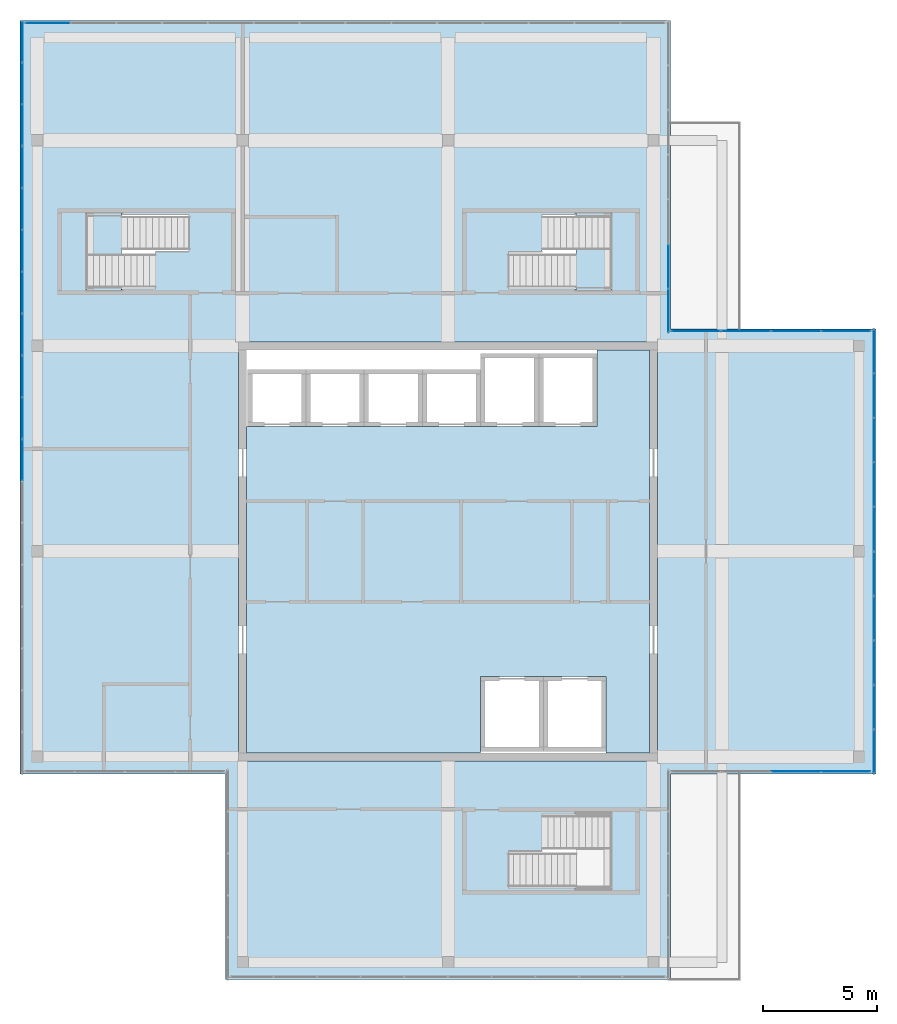
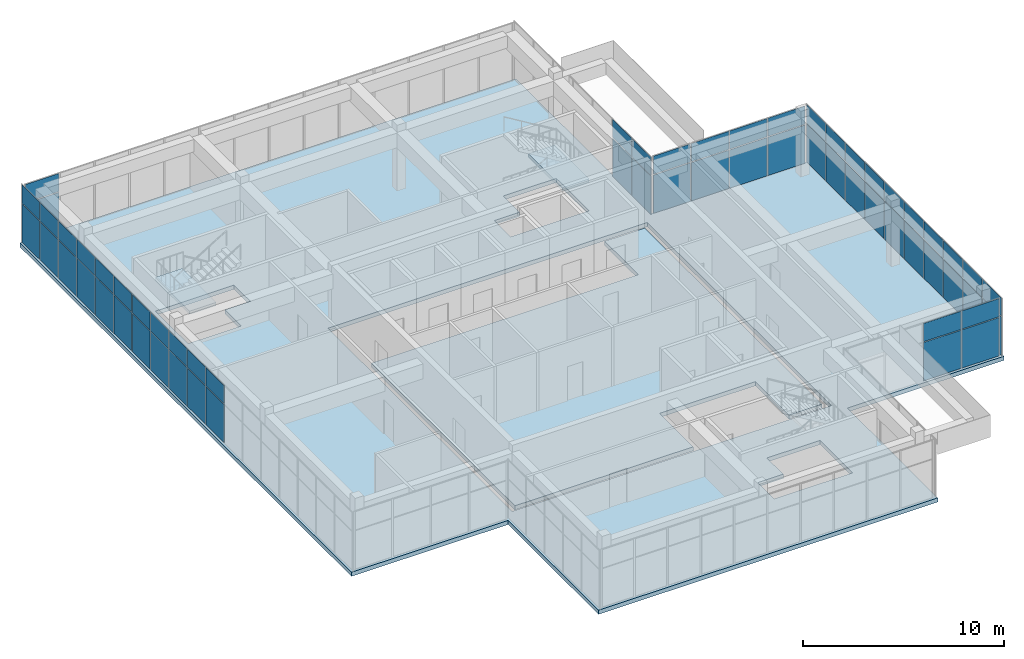
# One storey, part 31 of 36: 60 plates, 4 slabs, 8 elements without a shape of their own.
"""IFC4 building model written with IfcOpenShell, lengths in metres."""

from ifc_helpers import new_model, si_unit, direction, frame, origin, origin_2d, place, context, subcontext, project, spatial, polyline, rectangle, outline, extrude, material, layer, layer_set, type_object, element, aggregate, save


model = new_model("IFC4")

# Units and contexts
model_context = context("Model", 3, precision=1e-05, world=origin(), true_north=direction((0.0, 1.0)))
body_context = subcontext(model_context, "Body", "Model", "MODEL_VIEW")
ifc_project = project(units=[si_unit("LENGTHUNIT", "METRE"), si_unit("AREAUNIT", "SQUARE_METRE"), si_unit("VOLUMEUNIT", "CUBIC_METRE"), si_unit("PLANEANGLEUNIT", "RADIAN"), si_unit("MASSUNIT", "GRAM", prefix="KILO")], contexts=[model_context])

# Site, building, storey
site_placement = place(None, origin())
site = spatial("IfcSite", under=ifc_project, at=site_placement, CompositionType="ELEMENT")
building_placement = place(site_placement, origin())
building = spatial("IfcBuilding", under=site, at=building_placement, Name="Tuart Plaza Theatre", CompositionType="ELEMENT")
storey_placement = place(building_placement, frame((0.0, 0.0, 61.5)))
storey = spatial("IfcBuildingStorey", under=building, at=storey_placement, Name="L15", CompositionType="ELEMENT", Elevation=61.5)

# Curtain wall, plates
ifc_material_1 = material(Name="Aluminium and glass", Category="aluminium")
ifc_layer_1 = layer(ifc_material_1, 0.10009765625)
ifc_layer_set_1 = layer_set([ifc_layer_1], Name="CURTAIN WALL 2000 module")
curtain_wall_type_1 = type_object("IfcCurtainWallType", Name="CURTAIN WALL 2000 module", PredefinedType="NOTDEFINED", material=ifc_layer_set_1)
curtain_wall_1_placement = place(storey_placement, origin())
curtain_wall_1 = element("IfcCurtainWall", 1, at=curtain_wall_1_placement, inside=storey, type_object=curtain_wall_type_1, Name="CW113", PredefinedType="NOTDEFINED")
ifc_material_2 = material(Name="Glass", Category="glass")
ifc_layer_2 = layer(ifc_material_2, 0.028076171875)
ifc_layer_set_2 = layer_set([ifc_layer_2], Name="CURTAIN PANEL double glazed 28")
plate_type = type_object("IfcPlateType", Name="CURTAIN PANEL double glazed 28", PredefinedType="CURTAIN_PANEL", material=ifc_layer_set_2)
plate_1_placement = place(storey_placement, frame((147.25, 64.35009765625, 0.0498046875), z_axis=(0.0, 0.0, 1.0), x_axis=(1.0, 0.0, 0.0)))
plate_1 = element("IfcPlate", 2, at=plate_1_placement, type_object=plate_type, Name="CW113 panel 3.1", PredefinedType="CURTAIN_PANEL", context=body_context, shape_type="SweptSolid", body=[
    extrude(rectangle(XDim=2.14990234375, YDim=0.028076171875, at=origin_2d()), origin(), (0.0, 0.0, 1.0), 2.324951171875),
])
plate_2_placement = place(storey_placement, frame((147.25, 64.35009765625, 2.425048828125), z_axis=(0.0, 0.0, 1.0), x_axis=(1.0, 0.0, 0.0)))
plate_2 = element("IfcPlate", 3, at=plate_2_placement, type_object=plate_type, Name="CW113 panel 3.2", PredefinedType="CURTAIN_PANEL", context=body_context, shape_type="SweptSolid", body=[
    extrude(rectangle(XDim=2.14990234375, YDim=0.028076171875, at=origin_2d()), origin(), (0.0, 0.0, 1.0), 1.10498046875),
])
plate_3_placement = place(storey_placement, frame((149.4375, 64.35009765625, 0.0498046875), z_axis=(0.0, 0.0, 1.0), x_axis=(1.0, 0.0, 0.0)))
plate_3 = element("IfcPlate", 4, at=plate_3_placement, type_object=plate_type, Name="CW113 panel 4.1", PredefinedType="CURTAIN_PANEL", context=body_context, shape_type="SweptSolid", body=[
    extrude(rectangle(XDim=2.125, YDim=0.028076171875, at=origin_2d()), origin(), (0.0, 0.0, 1.0), 2.324951171875),
])
plate_4_placement = place(storey_placement, frame((149.4375, 64.35009765625, 2.425048828125), z_axis=(0.0, 0.0, 1.0), x_axis=(1.0, 0.0, 0.0)))
plate_4 = element("IfcPlate", 5, at=plate_4_placement, type_object=plate_type, Name="CW113 panel 4.2", PredefinedType="CURTAIN_PANEL", context=body_context, shape_type="SweptSolid", body=[
    extrude(rectangle(XDim=2.125, YDim=0.028076171875, at=origin_2d()), origin(), (0.0, 0.0, 1.0), 1.10498046875),
])
aggregate(curtain_wall_1, [plate_1, plate_2, plate_3, plate_4])

curtain_wall_2_placement = place(storey_placement, origin())
curtain_wall_2 = element("IfcCurtainWall", 6, at=curtain_wall_2_placement, inside=storey, type_object=curtain_wall_type_1, Name="CW114", PredefinedType="NOTDEFINED")
plate_5_placement = place(storey_placement, frame((150.64990234375, 65.237548828125, 0.0498046875), z_axis=(0.0, 0.0, 1.0), x_axis=(0.0, 1.0, 0.0)))
plate_5 = element("IfcPlate", 7, at=plate_5_placement, type_object=plate_type, Name="CW114 panel 1.1", PredefinedType="CURTAIN_PANEL", context=body_context, shape_type="SweptSolid", body=[
    extrude(rectangle(XDim=1.875, YDim=0.028076171875, at=origin_2d()), origin(), (0.0, 0.0, 1.0), 2.324951171875),
])
plate_6_placement = place(storey_placement, frame((150.64990234375, 65.237548828125, 2.425048828125), z_axis=(0.0, 0.0, 1.0), x_axis=(0.0, 1.0, 0.0)))
plate_6 = element("IfcPlate", 8, at=plate_6_placement, type_object=plate_type, Name="CW114 panel 1.2", PredefinedType="CURTAIN_PANEL", context=body_context, shape_type="SweptSolid", body=[
    extrude(rectangle(XDim=1.875, YDim=0.028076171875, at=origin_2d()), origin(), (0.0, 0.0, 1.0), 1.10498046875),
])
plate_7_placement = place(storey_placement, frame((150.64990234375, 67.175048828125, 0.0498046875), z_axis=(0.0, 0.0, 1.0), x_axis=(0.0, 1.0, 0.0)))
plate_7 = element("IfcPlate", 9, at=plate_7_placement, type_object=plate_type, Name="CW114 panel 2.1", PredefinedType="CURTAIN_PANEL", context=body_context, shape_type="SweptSolid", body=[
    extrude(rectangle(XDim=1.89990234375, YDim=0.028076171875, at=origin_2d()), origin(), (0.0, 0.0, 1.0), 2.324951171875),
])
plate_8_placement = place(storey_placement, frame((150.64990234375, 67.175048828125, 2.425048828125), z_axis=(0.0, 0.0, 1.0), x_axis=(0.0, 1.0, 0.0)))
plate_8 = element("IfcPlate", 10, at=plate_8_placement, type_object=plate_type, Name="CW114 panel 2.2", PredefinedType="CURTAIN_PANEL", context=body_context, shape_type="SweptSolid", body=[
    extrude(rectangle(XDim=1.89990234375, YDim=0.028076171875, at=origin_2d()), origin(), (0.0, 0.0, 1.0), 1.10498046875),
])
plate_9_placement = place(storey_placement, frame((150.64990234375, 69.125, 0.0498046875), z_axis=(0.0, 0.0, 1.0), x_axis=(0.0, 1.0, 0.0)))
plate_9 = element("IfcPlate", 11, at=plate_9_placement, type_object=plate_type, Name="CW114 panel 3.1", PredefinedType="CURTAIN_PANEL", context=body_context, shape_type="SweptSolid", body=[
    extrude(rectangle(XDim=1.89990234375, YDim=0.028076171875, at=origin_2d()), origin(), (0.0, 0.0, 1.0), 2.324951171875),
])
plate_10_placement = place(storey_placement, frame((150.64990234375, 69.125, 2.425048828125), z_axis=(0.0, 0.0, 1.0), x_axis=(0.0, 1.0, 0.0)))
plate_10 = element("IfcPlate", 12, at=plate_10_placement, type_object=plate_type, Name="CW114 panel 3.2", PredefinedType="CURTAIN_PANEL", context=body_context, shape_type="SweptSolid", body=[
    extrude(rectangle(XDim=1.89990234375, YDim=0.028076171875, at=origin_2d()), origin(), (0.0, 0.0, 1.0), 1.10498046875),
])
plate_11_placement = place(storey_placement, frame((150.64990234375, 71.074951171875, 0.0498046875), z_axis=(0.0, 0.0, 1.0), x_axis=(0.0, 1.0, 0.0)))
plate_11 = element("IfcPlate", 13, at=plate_11_placement, type_object=plate_type, Name="CW114 panel 4.1", PredefinedType="CURTAIN_PANEL", context=body_context, shape_type="SweptSolid", body=[
    extrude(rectangle(XDim=1.89990234375, YDim=0.028076171875, at=origin_2d()), origin(), (0.0, 0.0, 1.0), 2.324951171875),
])
plate_12_placement = place(storey_placement, frame((150.64990234375, 71.074951171875, 2.425048828125), z_axis=(0.0, 0.0, 1.0), x_axis=(0.0, 1.0, 0.0)))
plate_12 = element("IfcPlate", 14, at=plate_12_placement, type_object=plate_type, Name="CW114 panel 4.2", PredefinedType="CURTAIN_PANEL", context=body_context, shape_type="SweptSolid", body=[
    extrude(rectangle(XDim=1.89990234375, YDim=0.028076171875, at=origin_2d()), origin(), (0.0, 0.0, 1.0), 1.10498046875),
])
plate_13_placement = place(storey_placement, frame((150.64990234375, 73.02490234375, 0.0498046875), z_axis=(0.0, 0.0, 1.0), x_axis=(0.0, 1.0, 0.0)))
plate_13 = element("IfcPlate", 15, at=plate_13_placement, type_object=plate_type, Name="CW114 panel 5.1", PredefinedType="CURTAIN_PANEL", context=body_context, shape_type="SweptSolid", body=[
    extrude(rectangle(XDim=1.89990234375, YDim=0.028076171875, at=origin_2d()), origin(), (0.0, 0.0, 1.0), 2.324951171875),
])
plate_14_placement = place(storey_placement, frame((150.64990234375, 73.02490234375, 2.425048828125), z_axis=(0.0, 0.0, 1.0), x_axis=(0.0, 1.0, 0.0)))
plate_14 = element("IfcPlate", 16, at=plate_14_placement, type_object=plate_type, Name="CW114 panel 5.2", PredefinedType="CURTAIN_PANEL", context=body_context, shape_type="SweptSolid", body=[
    extrude(rectangle(XDim=1.89990234375, YDim=0.028076171875, at=origin_2d()), origin(), (0.0, 0.0, 1.0), 1.10498046875),
])
plate_15_placement = place(storey_placement, frame((150.64990234375, 74.97509765625, 0.0498046875), z_axis=(0.0, 0.0, 1.0), x_axis=(0.0, 1.0, 0.0)))
plate_15 = element("IfcPlate", 17, at=plate_15_placement, type_object=plate_type, Name="CW114 panel 6.1", PredefinedType="CURTAIN_PANEL", context=body_context, shape_type="SweptSolid", body=[
    extrude(rectangle(XDim=1.89990234375, YDim=0.028076171875, at=origin_2d()), origin(), (0.0, 0.0, 1.0), 2.324951171875),
])
plate_16_placement = place(storey_placement, frame((150.64990234375, 74.97509765625, 2.425048828125), z_axis=(0.0, 0.0, 1.0), x_axis=(0.0, 1.0, 0.0)))
plate_16 = element("IfcPlate", 18, at=plate_16_placement, type_object=plate_type, Name="CW114 panel 6.2", PredefinedType="CURTAIN_PANEL", context=body_context, shape_type="SweptSolid", body=[
    extrude(rectangle(XDim=1.89990234375, YDim=0.028076171875, at=origin_2d()), origin(), (0.0, 0.0, 1.0), 1.10498046875),
])
plate_17_placement = place(storey_placement, frame((150.64990234375, 76.925048828125, 0.0498046875), z_axis=(0.0, 0.0, 1.0), x_axis=(0.0, 1.0, 0.0)))
plate_17 = element("IfcPlate", 19, at=plate_17_placement, type_object=plate_type, Name="CW114 panel 7.1", PredefinedType="CURTAIN_PANEL", context=body_context, shape_type="SweptSolid", body=[
    extrude(rectangle(XDim=1.89990234375, YDim=0.028076171875, at=origin_2d()), origin(), (0.0, 0.0, 1.0), 2.324951171875),
])
plate_18_placement = place(storey_placement, frame((150.64990234375, 76.925048828125, 2.425048828125), z_axis=(0.0, 0.0, 1.0), x_axis=(0.0, 1.0, 0.0)))
plate_18 = element("IfcPlate", 20, at=plate_18_placement, type_object=plate_type, Name="CW114 panel 7.2", PredefinedType="CURTAIN_PANEL", context=body_context, shape_type="SweptSolid", body=[
    extrude(rectangle(XDim=1.89990234375, YDim=0.028076171875, at=origin_2d()), origin(), (0.0, 0.0, 1.0), 1.10498046875),
])
plate_19_placement = place(storey_placement, frame((150.64990234375, 78.875, 0.0498046875), z_axis=(0.0, 0.0, 1.0), x_axis=(0.0, 1.0, 0.0)))
plate_19 = element("IfcPlate", 21, at=plate_19_placement, type_object=plate_type, Name="CW114 panel 8.1", PredefinedType="CURTAIN_PANEL", context=body_context, shape_type="SweptSolid", body=[
    extrude(rectangle(XDim=1.89990234375, YDim=0.028076171875, at=origin_2d()), origin(), (0.0, 0.0, 1.0), 2.324951171875),
])
plate_20_placement = place(storey_placement, frame((150.64990234375, 78.875, 2.425048828125), z_axis=(0.0, 0.0, 1.0), x_axis=(0.0, 1.0, 0.0)))
plate_20 = element("IfcPlate", 22, at=plate_20_placement, type_object=plate_type, Name="CW114 panel 8.2", PredefinedType="CURTAIN_PANEL", context=body_context, shape_type="SweptSolid", body=[
    extrude(rectangle(XDim=1.89990234375, YDim=0.028076171875, at=origin_2d()), origin(), (0.0, 0.0, 1.0), 1.10498046875),
])
plate_21_placement = place(storey_placement, frame((150.64990234375, 80.824951171875, 0.0498046875), z_axis=(0.0, 0.0, 1.0), x_axis=(0.0, 1.0, 0.0)))
plate_21 = element("IfcPlate", 23, at=plate_21_placement, type_object=plate_type, Name="CW114 panel 9.1", PredefinedType="CURTAIN_PANEL", context=body_context, shape_type="SweptSolid", body=[
    extrude(rectangle(XDim=1.89990234375, YDim=0.028076171875, at=origin_2d()), origin(), (0.0, 0.0, 1.0), 2.324951171875),
])
plate_22_placement = place(storey_placement, frame((150.64990234375, 80.824951171875, 2.425048828125), z_axis=(0.0, 0.0, 1.0), x_axis=(0.0, 1.0, 0.0)))
plate_22 = element("IfcPlate", 24, at=plate_22_placement, type_object=plate_type, Name="CW114 panel 9.2", PredefinedType="CURTAIN_PANEL", context=body_context, shape_type="SweptSolid", body=[
    extrude(rectangle(XDim=1.89990234375, YDim=0.028076171875, at=origin_2d()), origin(), (0.0, 0.0, 1.0), 1.10498046875),
])
plate_23_placement = place(storey_placement, frame((150.64990234375, 82.762451171875, 0.0498046875), z_axis=(0.0, 0.0, 1.0), x_axis=(0.0, 1.0, 0.0)))
plate_23 = element("IfcPlate", 25, at=plate_23_placement, type_object=plate_type, Name="CW114 panel 10.1", PredefinedType="CURTAIN_PANEL", context=body_context, shape_type="SweptSolid", body=[
    extrude(rectangle(XDim=1.875, YDim=0.028076171875, at=origin_2d()), origin(), (0.0, 0.0, 1.0), 2.324951171875),
])
plate_24_placement = place(storey_placement, frame((150.64990234375, 82.762451171875, 2.425048828125), z_axis=(0.0, 0.0, 1.0), x_axis=(0.0, 1.0, 0.0)))
plate_24 = element("IfcPlate", 26, at=plate_24_placement, type_object=plate_type, Name="CW114 panel 10.2", PredefinedType="CURTAIN_PANEL", context=body_context, shape_type="SweptSolid", body=[
    extrude(rectangle(XDim=1.875, YDim=0.028076171875, at=origin_2d()), origin(), (0.0, 0.0, 1.0), 1.10498046875),
])
aggregate(curtain_wall_2, [plate_5, plate_6, plate_7, plate_8, plate_9, plate_10, plate_11, plate_12, plate_13, plate_14, plate_15, plate_16, plate_17, plate_18, plate_19, plate_20, plate_21, plate_22, plate_23, plate_24])

curtain_wall_3_placement = place(storey_placement, origin())
curtain_wall_3 = element("IfcCurtainWall", 27, at=curtain_wall_3_placement, inside=storey, type_object=curtain_wall_type_1, Name="CW115", PredefinedType="NOTDEFINED")
plate_25_placement = place(storey_placement, frame((149.4375, 83.64990234375, 0.0498046875), z_axis=(0.0, 0.0, 1.0), x_axis=(-1.0, 0.0, 0.0)))
plate_25 = element("IfcPlate", 28, at=plate_25_placement, type_object=plate_type, Name="CW115 panel 1.1", PredefinedType="CURTAIN_PANEL", context=body_context, shape_type="SweptSolid", body=[
    extrude(rectangle(XDim=2.125, YDim=0.028076171875, at=origin_2d()), origin(), (0.0, 0.0, 1.0), 2.324951171875),
])
plate_26_placement = place(storey_placement, frame((149.4375, 83.64990234375, 2.425048828125), z_axis=(0.0, 0.0, 1.0), x_axis=(-1.0, 0.0, 0.0)))
plate_26 = element("IfcPlate", 29, at=plate_26_placement, type_object=plate_type, Name="CW115 panel 1.2", PredefinedType="CURTAIN_PANEL", context=body_context, shape_type="SweptSolid", body=[
    extrude(rectangle(XDim=2.125, YDim=0.028076171875, at=origin_2d()), origin(), (0.0, 0.0, 1.0), 1.10498046875),
])
plate_27_placement = place(storey_placement, frame((147.25, 83.64990234375, 0.0498046875), z_axis=(0.0, 0.0, 1.0), x_axis=(-1.0, 0.0, 0.0)))
plate_27 = element("IfcPlate", 30, at=plate_27_placement, type_object=plate_type, Name="CW115 panel 2.1", PredefinedType="CURTAIN_PANEL", context=body_context, shape_type="SweptSolid", body=[
    extrude(rectangle(XDim=2.14990234375, YDim=0.028076171875, at=origin_2d()), origin(), (0.0, 0.0, 1.0), 2.324951171875),
])
plate_28_placement = place(storey_placement, frame((147.25, 83.64990234375, 2.425048828125), z_axis=(0.0, 0.0, 1.0), x_axis=(-1.0, 0.0, 0.0)))
plate_28 = element("IfcPlate", 31, at=plate_28_placement, type_object=plate_type, Name="CW115 panel 2.2", PredefinedType="CURTAIN_PANEL", context=body_context, shape_type="SweptSolid", body=[
    extrude(rectangle(XDim=2.14990234375, YDim=0.028076171875, at=origin_2d()), origin(), (0.0, 0.0, 1.0), 1.10498046875),
])
plate_29_placement = place(storey_placement, frame((145.050048828125, 83.64990234375, 0.0498046875), z_axis=(0.0, 0.0, 1.0), x_axis=(-1.0, 0.0, 0.0)))
plate_29 = element("IfcPlate", 32, at=plate_29_placement, type_object=plate_type, Name="CW115 panel 3.1", PredefinedType="CURTAIN_PANEL", context=body_context, shape_type="SweptSolid", body=[
    extrude(rectangle(XDim=2.14990234375, YDim=0.028076171875, at=origin_2d()), origin(), (0.0, 0.0, 1.0), 2.324951171875),
])
plate_30_placement = place(storey_placement, frame((145.050048828125, 83.64990234375, 2.425048828125), z_axis=(0.0, 0.0, 1.0), x_axis=(-1.0, 0.0, 0.0)))
plate_30 = element("IfcPlate", 33, at=plate_30_placement, type_object=plate_type, Name="CW115 panel 3.2", PredefinedType="CURTAIN_PANEL", context=body_context, shape_type="SweptSolid", body=[
    extrude(rectangle(XDim=2.14990234375, YDim=0.028076171875, at=origin_2d()), origin(), (0.0, 0.0, 1.0), 1.10498046875),
])
plate_31_placement = place(storey_placement, frame((142.862548828125, 83.64990234375, 0.0498046875), z_axis=(0.0, 0.0, 1.0), x_axis=(-1.0, 0.0, 0.0)))
plate_31 = element("IfcPlate", 34, at=plate_31_placement, type_object=plate_type, Name="CW115 panel 4.1", PredefinedType="CURTAIN_PANEL", context=body_context, shape_type="SweptSolid", body=[
    extrude(rectangle(XDim=2.125, YDim=0.028076171875, at=origin_2d()), origin(), (0.0, 0.0, 1.0), 2.324951171875),
])
plate_32_placement = place(storey_placement, frame((142.862548828125, 83.64990234375, 2.425048828125), z_axis=(0.0, 0.0, 1.0), x_axis=(-1.0, 0.0, 0.0)))
plate_32 = element("IfcPlate", 35, at=plate_32_placement, type_object=plate_type, Name="CW115 panel 4.2", PredefinedType="CURTAIN_PANEL", context=body_context, shape_type="SweptSolid", body=[
    extrude(rectangle(XDim=2.125, YDim=0.028076171875, at=origin_2d()), origin(), (0.0, 0.0, 1.0), 1.10498046875),
])
aggregate(curtain_wall_3, [plate_25, plate_26, plate_27, plate_28, plate_29, plate_30, plate_31, plate_32])

curtain_wall_4_placement = place(storey_placement, origin())
curtain_wall_4 = element("IfcCurtainWall", 36, at=curtain_wall_4_placement, inside=storey, type_object=curtain_wall_type_1, Name="CW116", PredefinedType="NOTDEFINED")
plate_33_placement = place(storey_placement, frame((141.64990234375, 84.541015625, 0.0498046875), z_axis=(0.0, 0.0, 1.0), x_axis=(0.0, 1.0, 0.0)))
plate_33 = element("IfcPlate", 37, at=plate_33_placement, type_object=plate_type, Name="CW116 panel 1.1", PredefinedType="CURTAIN_PANEL", context=body_context, shape_type="SweptSolid", body=[
    extrude(rectangle(XDim=1.882080078125, YDim=0.028076171875, at=origin_2d()), origin(), (0.0, 0.0, 1.0), 2.324951171875),
])
plate_34_placement = place(storey_placement, frame((141.64990234375, 84.541015625, 2.425048828125), z_axis=(0.0, 0.0, 1.0), x_axis=(0.0, 1.0, 0.0)))
plate_34 = element("IfcPlate", 38, at=plate_34_placement, type_object=plate_type, Name="CW116 panel 1.2", PredefinedType="CURTAIN_PANEL", context=body_context, shape_type="SweptSolid", body=[
    extrude(rectangle(XDim=1.882080078125, YDim=0.028076171875, at=origin_2d()), origin(), (0.0, 0.0, 1.0), 1.10498046875),
])
plate_35_placement = place(storey_placement, frame((141.64990234375, 86.485595703125, 0.0498046875), z_axis=(0.0, 0.0, 1.0), x_axis=(0.0, 1.0, 0.0)))
plate_35 = element("IfcPlate", 39, at=plate_35_placement, type_object=plate_type, Name="CW116 panel 2.1", PredefinedType="CURTAIN_PANEL", context=body_context, shape_type="SweptSolid", body=[
    extrude(rectangle(XDim=1.9072265625, YDim=0.028076171875, at=origin_2d()), origin(), (0.0, 0.0, 1.0), 2.324951171875),
])
plate_36_placement = place(storey_placement, frame((141.64990234375, 86.485595703125, 2.425048828125), z_axis=(0.0, 0.0, 1.0), x_axis=(0.0, 1.0, 0.0)))
plate_36 = element("IfcPlate", 40, at=plate_36_placement, type_object=plate_type, Name="CW116 panel 2.2", PredefinedType="CURTAIN_PANEL", context=body_context, shape_type="SweptSolid", body=[
    extrude(rectangle(XDim=1.9072265625, YDim=0.028076171875, at=origin_2d()), origin(), (0.0, 0.0, 1.0), 1.10498046875),
])
aggregate(curtain_wall_4, [plate_33, plate_34, plate_35, plate_36])

curtain_wall_5_placement = place(storey_placement, origin())
curtain_wall_5 = element("IfcCurtainWall", 41, at=curtain_wall_5_placement, inside=storey, type_object=curtain_wall_type_1, Name="CW117", PredefinedType="NOTDEFINED")
plate_37_placement = place(storey_placement, frame((114.466064453125, 97.14990234375, 0.0498046875), z_axis=(0.0, 0.0, 1.0), x_axis=(-1.0, 0.0, 0.0)))
plate_37 = element("IfcPlate", 42, at=plate_37_placement, type_object=plate_type, Name="CW117 panel 14.1", PredefinedType="CURTAIN_PANEL", context=body_context, shape_type="SweptSolid", body=[
    extrude(rectangle(XDim=1.93212890625, YDim=0.028076171875, at=origin_2d()), origin(), (0.0, 0.0, 1.0), 2.324951171875),
])
plate_38_placement = place(storey_placement, frame((114.466064453125, 97.14990234375, 2.425048828125), z_axis=(0.0, 0.0, 1.0), x_axis=(-1.0, 0.0, 0.0)))
plate_38 = element("IfcPlate", 43, at=plate_38_placement, type_object=plate_type, Name="CW117 panel 14.2", PredefinedType="CURTAIN_PANEL", context=body_context, shape_type="SweptSolid", body=[
    extrude(rectangle(XDim=1.93212890625, YDim=0.028076171875, at=origin_2d()), origin(), (0.0, 0.0, 1.0), 1.10498046875),
])
aggregate(curtain_wall_5, [plate_37, plate_38])

ifc_material_3 = material(Name="Aluminium and glass", Category="aluminium")
ifc_layer_3 = layer(ifc_material_3, 0.10009765625)
ifc_layer_set_3 = layer_set([ifc_layer_3], Name="CURTAIN WALL 1800 module")
curtain_wall_type_2 = type_object("IfcCurtainWallType", Name="CURTAIN WALL 1800 module", PredefinedType="NOTDEFINED", material=ifc_layer_set_3)
curtain_wall_6_placement = place(storey_placement, origin())
curtain_wall_6 = element("IfcCurtainWall", 44, at=curtain_wall_6_placement, inside=storey, type_object=curtain_wall_type_2, Name="CW118", PredefinedType="NOTDEFINED")
plate_39_placement = place(storey_placement, frame((113.35009765625, 96.32080078125, 0.0498046875), z_axis=(0.0, 0.0, 1.0), x_axis=(0.0, -1.0, 0.0)))
plate_39 = element("IfcPlate", 45, at=plate_39_placement, type_object=plate_type, Name="CW118 panel 1.1", PredefinedType="CURTAIN_PANEL", context=body_context, shape_type="SweptSolid", body=[
    extrude(rectangle(XDim=1.75830078125, YDim=0.028076171875, at=origin_2d()), origin(), (0.0, 0.0, 1.0), 2.324951171875),
])
plate_40_placement = place(storey_placement, frame((113.35009765625, 96.32080078125, 2.425048828125), z_axis=(0.0, 0.0, 1.0), x_axis=(0.0, -1.0, 0.0)))
plate_40 = element("IfcPlate", 46, at=plate_40_placement, type_object=plate_type, Name="CW118 panel 1.2", PredefinedType="CURTAIN_PANEL", context=body_context, shape_type="SweptSolid", body=[
    extrude(rectangle(XDim=1.75830078125, YDim=0.028076171875, at=origin_2d()), origin(), (0.0, 0.0, 1.0), 1.10498046875),
])
plate_41_placement = place(storey_placement, frame((113.35009765625, 94.5, 0.0498046875), z_axis=(0.0, 0.0, 1.0), x_axis=(0.0, -1.0, 0.0)))
plate_41 = element("IfcPlate", 47, at=plate_41_placement, type_object=plate_type, Name="CW118 panel 2.1", PredefinedType="CURTAIN_PANEL", context=body_context, shape_type="SweptSolid", body=[
    extrude(rectangle(XDim=1.783447265625, YDim=0.028076171875, at=origin_2d()), origin(), (0.0, 0.0, 1.0), 2.324951171875),
])
plate_42_placement = place(storey_placement, frame((113.35009765625, 94.5, 2.425048828125), z_axis=(0.0, 0.0, 1.0), x_axis=(0.0, -1.0, 0.0)))
plate_42 = element("IfcPlate", 48, at=plate_42_placement, type_object=plate_type, Name="CW118 panel 2.2", PredefinedType="CURTAIN_PANEL", context=body_context, shape_type="SweptSolid", body=[
    extrude(rectangle(XDim=1.783447265625, YDim=0.028076171875, at=origin_2d()), origin(), (0.0, 0.0, 1.0), 1.10498046875),
])
plate_43_placement = place(storey_placement, frame((113.35009765625, 92.666748046875, 0.0498046875), z_axis=(0.0, 0.0, 1.0), x_axis=(0.0, -1.0, 0.0)))
plate_43 = element("IfcPlate", 49, at=plate_43_placement, type_object=plate_type, Name="CW118 panel 3.1", PredefinedType="CURTAIN_PANEL", context=body_context, shape_type="SweptSolid", body=[
    extrude(rectangle(XDim=1.783447265625, YDim=0.028076171875, at=origin_2d()), origin(), (0.0, 0.0, 1.0), 2.324951171875),
])
plate_44_placement = place(storey_placement, frame((113.35009765625, 92.666748046875, 2.425048828125), z_axis=(0.0, 0.0, 1.0), x_axis=(0.0, -1.0, 0.0)))
plate_44 = element("IfcPlate", 50, at=plate_44_placement, type_object=plate_type, Name="CW118 panel 3.2", PredefinedType="CURTAIN_PANEL", context=body_context, shape_type="SweptSolid", body=[
    extrude(rectangle(XDim=1.783447265625, YDim=0.028076171875, at=origin_2d()), origin(), (0.0, 0.0, 1.0), 1.10498046875),
])
plate_45_placement = place(storey_placement, frame((113.35009765625, 90.833251953125, 0.0498046875), z_axis=(0.0, 0.0, 1.0), x_axis=(0.0, -1.0, 0.0)))
plate_45 = element("IfcPlate", 51, at=plate_45_placement, type_object=plate_type, Name="CW118 panel 4.1", PredefinedType="CURTAIN_PANEL", context=body_context, shape_type="SweptSolid", body=[
    extrude(rectangle(XDim=1.783447265625, YDim=0.028076171875, at=origin_2d()), origin(), (0.0, 0.0, 1.0), 2.324951171875),
])
plate_46_placement = place(storey_placement, frame((113.35009765625, 90.833251953125, 2.425048828125), z_axis=(0.0, 0.0, 1.0), x_axis=(0.0, -1.0, 0.0)))
plate_46 = element("IfcPlate", 52, at=plate_46_placement, type_object=plate_type, Name="CW118 panel 4.2", PredefinedType="CURTAIN_PANEL", context=body_context, shape_type="SweptSolid", body=[
    extrude(rectangle(XDim=1.783447265625, YDim=0.028076171875, at=origin_2d()), origin(), (0.0, 0.0, 1.0), 1.10498046875),
])
plate_47_placement = place(storey_placement, frame((113.35009765625, 89.0, 0.0498046875), z_axis=(0.0, 0.0, 1.0), x_axis=(0.0, -1.0, 0.0)))
plate_47 = element("IfcPlate", 53, at=plate_47_placement, type_object=plate_type, Name="CW118 panel 5.1", PredefinedType="CURTAIN_PANEL", context=body_context, shape_type="SweptSolid", body=[
    extrude(rectangle(XDim=1.783447265625, YDim=0.028076171875, at=origin_2d()), origin(), (0.0, 0.0, 1.0), 2.324951171875),
])
plate_48_placement = place(storey_placement, frame((113.35009765625, 89.0, 2.425048828125), z_axis=(0.0, 0.0, 1.0), x_axis=(0.0, -1.0, 0.0)))
plate_48 = element("IfcPlate", 54, at=plate_48_placement, type_object=plate_type, Name="CW118 panel 5.2", PredefinedType="CURTAIN_PANEL", context=body_context, shape_type="SweptSolid", body=[
    extrude(rectangle(XDim=1.783447265625, YDim=0.028076171875, at=origin_2d()), origin(), (0.0, 0.0, 1.0), 1.10498046875),
])
plate_49_placement = place(storey_placement, frame((113.35009765625, 87.166748046875, 0.0498046875), z_axis=(0.0, 0.0, 1.0), x_axis=(0.0, -1.0, 0.0)))
plate_49 = element("IfcPlate", 55, at=plate_49_placement, type_object=plate_type, Name="CW118 panel 6.1", PredefinedType="CURTAIN_PANEL", context=body_context, shape_type="SweptSolid", body=[
    extrude(rectangle(XDim=1.783447265625, YDim=0.028076171875, at=origin_2d()), origin(), (0.0, 0.0, 1.0), 2.324951171875),
])
plate_50_placement = place(storey_placement, frame((113.35009765625, 87.166748046875, 2.425048828125), z_axis=(0.0, 0.0, 1.0), x_axis=(0.0, -1.0, 0.0)))
plate_50 = element("IfcPlate", 56, at=plate_50_placement, type_object=plate_type, Name="CW118 panel 6.2", PredefinedType="CURTAIN_PANEL", context=body_context, shape_type="SweptSolid", body=[
    extrude(rectangle(XDim=1.783447265625, YDim=0.028076171875, at=origin_2d()), origin(), (0.0, 0.0, 1.0), 1.10498046875),
])
plate_51_placement = place(storey_placement, frame((113.35009765625, 85.333251953125, 0.0498046875), z_axis=(0.0, 0.0, 1.0), x_axis=(0.0, -1.0, 0.0)))
plate_51 = element("IfcPlate", 57, at=plate_51_placement, type_object=plate_type, Name="CW118 panel 7.1", PredefinedType="CURTAIN_PANEL", context=body_context, shape_type="SweptSolid", body=[
    extrude(rectangle(XDim=1.783447265625, YDim=0.028076171875, at=origin_2d()), origin(), (0.0, 0.0, 1.0), 2.324951171875),
])
plate_52_placement = place(storey_placement, frame((113.35009765625, 85.333251953125, 2.425048828125), z_axis=(0.0, 0.0, 1.0), x_axis=(0.0, -1.0, 0.0)))
plate_52 = element("IfcPlate", 58, at=plate_52_placement, type_object=plate_type, Name="CW118 panel 7.2", PredefinedType="CURTAIN_PANEL", context=body_context, shape_type="SweptSolid", body=[
    extrude(rectangle(XDim=1.783447265625, YDim=0.028076171875, at=origin_2d()), origin(), (0.0, 0.0, 1.0), 1.10498046875),
])
plate_53_placement = place(storey_placement, frame((113.35009765625, 83.5, 0.0498046875), z_axis=(0.0, 0.0, 1.0), x_axis=(0.0, -1.0, 0.0)))
plate_53 = element("IfcPlate", 59, at=plate_53_placement, type_object=plate_type, Name="CW118 panel 8.1", PredefinedType="CURTAIN_PANEL", context=body_context, shape_type="SweptSolid", body=[
    extrude(rectangle(XDim=1.783447265625, YDim=0.028076171875, at=origin_2d()), origin(), (0.0, 0.0, 1.0), 2.324951171875),
])
plate_54_placement = place(storey_placement, frame((113.35009765625, 83.5, 2.425048828125), z_axis=(0.0, 0.0, 1.0), x_axis=(0.0, -1.0, 0.0)))
plate_54 = element("IfcPlate", 60, at=plate_54_placement, type_object=plate_type, Name="CW118 panel 8.2", PredefinedType="CURTAIN_PANEL", context=body_context, shape_type="SweptSolid", body=[
    extrude(rectangle(XDim=1.783447265625, YDim=0.028076171875, at=origin_2d()), origin(), (0.0, 0.0, 1.0), 1.10498046875),
])
plate_55_placement = place(storey_placement, frame((113.35009765625, 81.666748046875, 0.0498046875), z_axis=(0.0, 0.0, 1.0), x_axis=(0.0, -1.0, 0.0)))
plate_55 = element("IfcPlate", 61, at=plate_55_placement, type_object=plate_type, Name="CW118 panel 9.1", PredefinedType="CURTAIN_PANEL", context=body_context, shape_type="SweptSolid", body=[
    extrude(rectangle(XDim=1.783447265625, YDim=0.028076171875, at=origin_2d()), origin(), (0.0, 0.0, 1.0), 2.324951171875),
])
plate_56_placement = place(storey_placement, frame((113.35009765625, 81.666748046875, 2.425048828125), z_axis=(0.0, 0.0, 1.0), x_axis=(0.0, -1.0, 0.0)))
plate_56 = element("IfcPlate", 62, at=plate_56_placement, type_object=plate_type, Name="CW118 panel 9.2", PredefinedType="CURTAIN_PANEL", context=body_context, shape_type="SweptSolid", body=[
    extrude(rectangle(XDim=1.783447265625, YDim=0.028076171875, at=origin_2d()), origin(), (0.0, 0.0, 1.0), 1.10498046875),
])
plate_57_placement = place(storey_placement, frame((113.35009765625, 79.833251953125, 0.0498046875), z_axis=(0.0, 0.0, 1.0), x_axis=(0.0, -1.0, 0.0)))
plate_57 = element("IfcPlate", 63, at=plate_57_placement, type_object=plate_type, Name="CW118 panel 10.1", PredefinedType="CURTAIN_PANEL", context=body_context, shape_type="SweptSolid", body=[
    extrude(rectangle(XDim=1.783447265625, YDim=0.028076171875, at=origin_2d()), origin(), (0.0, 0.0, 1.0), 2.324951171875),
])
plate_58_placement = place(storey_placement, frame((113.35009765625, 79.833251953125, 2.425048828125), z_axis=(0.0, 0.0, 1.0), x_axis=(0.0, -1.0, 0.0)))
plate_58 = element("IfcPlate", 64, at=plate_58_placement, type_object=plate_type, Name="CW118 panel 10.2", PredefinedType="CURTAIN_PANEL", context=body_context, shape_type="SweptSolid", body=[
    extrude(rectangle(XDim=1.783447265625, YDim=0.028076171875, at=origin_2d()), origin(), (0.0, 0.0, 1.0), 1.10498046875),
])
plate_59_placement = place(storey_placement, frame((113.35009765625, 78.0, 0.0498046875), z_axis=(0.0, 0.0, 1.0), x_axis=(0.0, -1.0, 0.0)))
plate_59 = element("IfcPlate", 65, at=plate_59_placement, type_object=plate_type, Name="CW118 panel 11.1", PredefinedType="CURTAIN_PANEL", context=body_context, shape_type="SweptSolid", body=[
    extrude(rectangle(XDim=1.783447265625, YDim=0.028076171875, at=origin_2d()), origin(), (0.0, 0.0, 1.0), 2.324951171875),
])
plate_60_placement = place(storey_placement, frame((113.35009765625, 78.0, 2.425048828125), z_axis=(0.0, 0.0, 1.0), x_axis=(0.0, -1.0, 0.0)))
plate_60 = element("IfcPlate", 66, at=plate_60_placement, type_object=plate_type, Name="CW118 panel 11.2", PredefinedType="CURTAIN_PANEL", context=body_context, shape_type="SweptSolid", body=[
    extrude(rectangle(XDim=1.783447265625, YDim=0.028076171875, at=origin_2d()), origin(), (0.0, 0.0, 1.0), 1.10498046875),
])
aggregate(curtain_wall_6, [plate_39, plate_40, plate_41, plate_42, plate_43, plate_44, plate_45, plate_46, plate_47, plate_48, plate_49, plate_50, plate_51, plate_52, plate_53, plate_54, plate_55, plate_56, plate_57, plate_58, plate_59, plate_60])

# Slabs
ifc_material_4 = material(Name="Concrete N40 (40 MPa)", Category="concrete")
ifc_layer_4 = layer(ifc_material_4, 0.25)
ifc_layer_set_4 = layer_set([ifc_layer_4], Name="SLAB Floor 250 Concrete N40 (40 MPa)")
slab_type_1 = type_object("IfcSlabType", Name="SLAB Floor 250 Concrete N40 (40 MPa)", PredefinedType="FLOOR", material=ifc_layer_set_4)
slab_1_placement = place(storey_placement, frame((0.0, 0.0, -0.25)))
element("IfcSlab", 67, at=slab_1_placement, inside=storey, type_object=slab_type_1, Name="S100", PredefinedType="FLOOR", context=body_context, shape_type="SweptSolid", body=[
    extrude(outline(polyline([(141.75, 97.25), (113.25, 97.25), (113.25, 64.25), (122.25, 64.25), (122.25, 55.25), (141.75, 55.25), (141.75, 64.25), (150.75, 64.25), (150.75, 83.75), (141.75, 83.75), (141.75, 97.25)]), holes=[polyline([(141.175048828125, 64.824951171875), (141.175048828125, 83.175048828125), (122.824951171875, 83.175048828125), (122.824951171875, 64.824951171875), (141.175048828125, 64.824951171875)]), polyline([(136.114990234375, 62.5), (136.114990234375, 60.875), (134.655029296875, 60.875), (134.655029296875, 59.25), (139.169921875, 59.25), (139.169921875, 62.5), (136.114990234375, 62.5)]), polyline([(139.169921875, 88.75), (136.114990234375, 88.75), (136.114990234375, 87.125), (134.655029296875, 87.125), (134.655029296875, 85.5), (139.169921875, 85.5), (139.169921875, 88.75)]), polyline([(116.1298828125, 88.75), (116.1298828125, 85.5), (119.18505859375, 85.5), (119.18505859375, 87.125), (120.64501953125, 87.125), (120.64501953125, 88.75), (116.1298828125, 88.75)])]), origin(), (0.0, 0.0, 1.0), 0.25),
])
slab_2_placement = place(storey_placement, frame((0.0, 0.0, -0.25)))
element("IfcSlab", 68, at=slab_2_placement, inside=storey, type_object=slab_type_1, Name="S101", PredefinedType="FLOOR", context=body_context, shape_type="SweptSolid", body=[
    extrude(outline(polyline([(123.175048828125, 65.175048828125), (133.425048828125, 65.175048828125), (133.425048828125, 68.52490234375), (138.925048828125, 68.52490234375), (138.925048828125, 65.175048828125), (140.824951171875, 65.175048828125), (140.824951171875, 82.824951171875), (138.52490234375, 82.824951171875), (138.52490234375, 79.47509765625), (123.175048828125, 79.47509765625), (123.175048828125, 65.175048828125)])), origin(), (0.0, 0.0, 1.0), 0.25),
])

# Stair, slab
ifc_material_5 = material(Name="Concrete N40 (40 MPa)", Category="concrete")
stair_type = type_object("IfcStairType", Name="STAIR half turn 1500", PredefinedType="HALF_TURN_STAIR", material=ifc_material_5)
stair_1_placement = place(storey_placement, origin())
stair_1 = element("IfcStair", 69, at=stair_1_placement, inside=storey, type_object=stair_type, Name="SC-12", PredefinedType="HALF_TURN_STAIR")
ifc_material_6 = material(Name="Concrete N40 (40 MPa)", Category="concrete")
ifc_layer_5 = layer(ifc_material_6, 0.199951171875)
ifc_layer_set_5 = layer_set([ifc_layer_5], Name="STAIR LANDING 200")
slab_type_2 = type_object("IfcSlabType", Name="STAIR LANDING 200", PredefinedType="LANDING", material=ifc_layer_set_5)
slab_3_placement = place(storey_placement, frame((0.0, 0.0, 1.800048828125)))
slab_3 = element("IfcSlab", 70, at=slab_3_placement, type_object=slab_type_2, Name="SC-12 landing 1", PredefinedType="LANDING", context=body_context, shape_type="SweptSolid", body=[
    extrude(outline(polyline([(137.60009765625, 85.427001953125), (139.1298828125, 85.427001953125), (139.1298828125, 88.822998046875), (137.60009765625, 88.822998046875), (137.60009765625, 85.427001953125)])), origin(), (0.0, 0.0, 1.0), 0.199951171875),
])
aggregate(stair_1, [slab_3])

stair_2_placement = place(storey_placement, origin())
stair_2 = element("IfcStair", 71, at=stair_2_placement, inside=storey, type_object=stair_type, Name="SC-18", PredefinedType="HALF_TURN_STAIR")
slab_4_placement = place(storey_placement, frame((0.0, 0.0, 1.800048828125)))
slab_4 = element("IfcSlab", 72, at=slab_4_placement, type_object=slab_type_2, Name="SC-18 landing 1", PredefinedType="LANDING", context=body_context, shape_type="SweptSolid", body=[
    extrude(outline(polyline([(117.699951171875, 88.822998046875), (116.169921875, 88.822998046875), (116.169921875, 85.427001953125), (117.699951171875, 85.427001953125), (117.699951171875, 88.822998046875)])), origin(), (0.0, 0.0, 1.0), 0.199951171875),
])
aggregate(stair_2, [slab_4])

save(model, "model.ifc")
